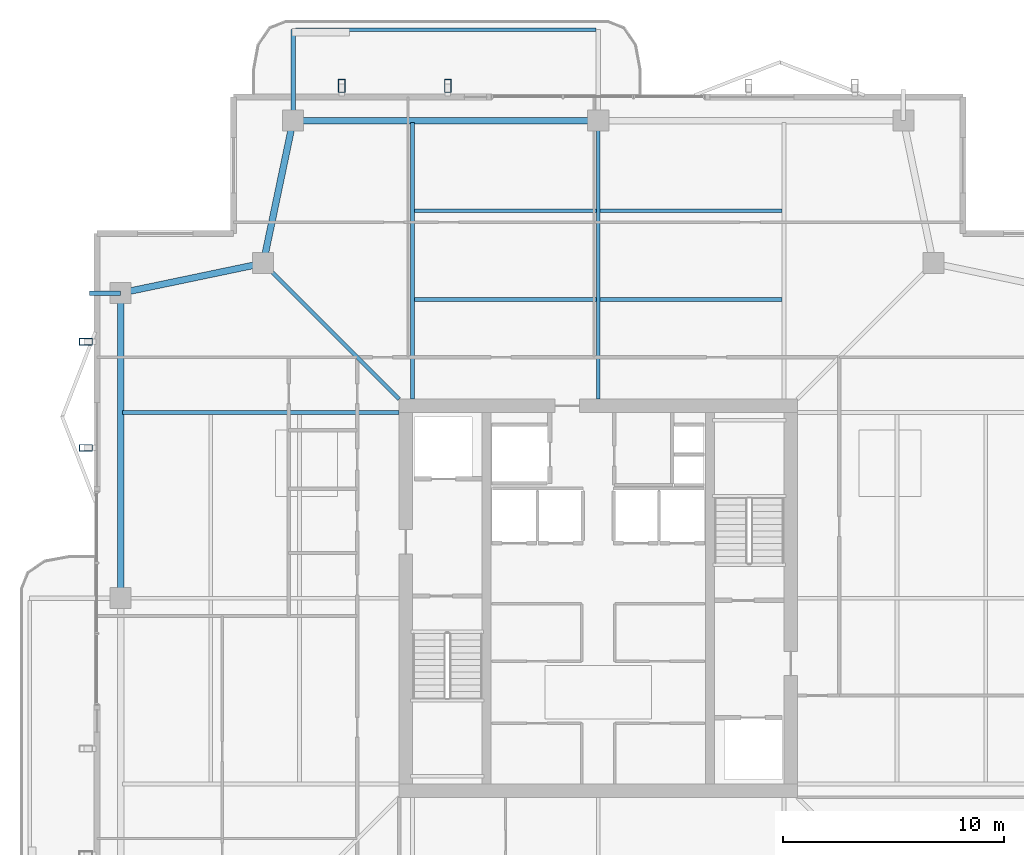
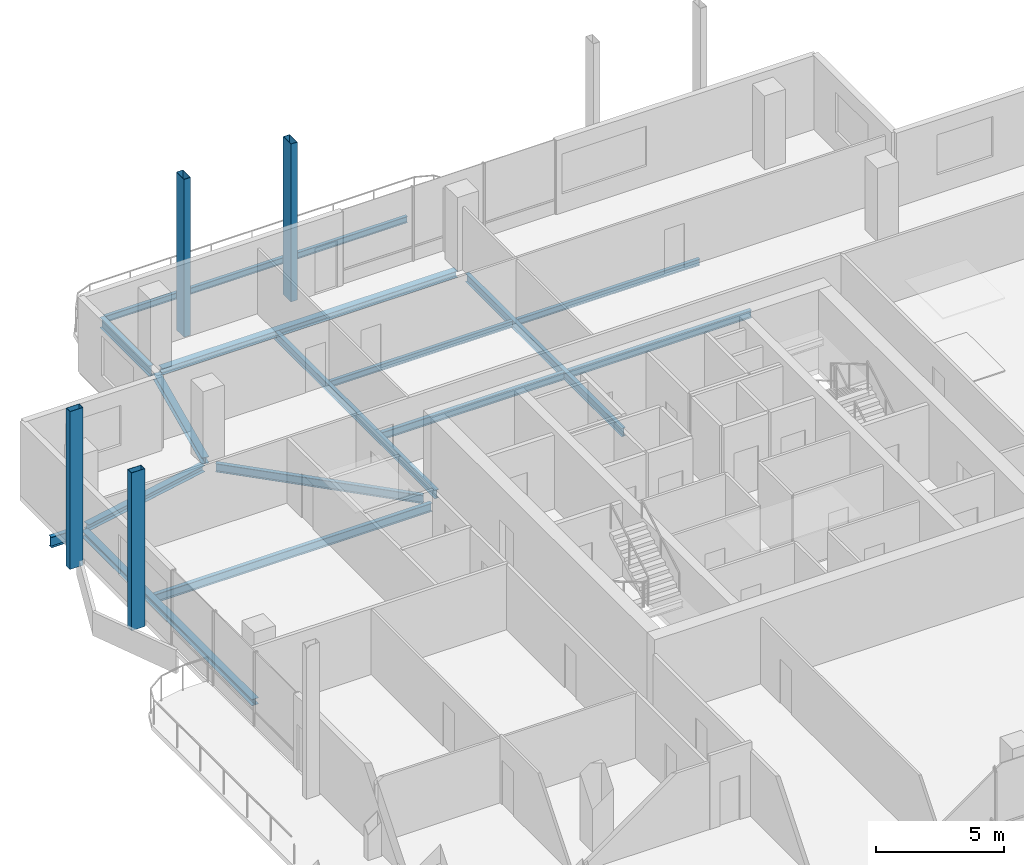
# One storey, part 10 of 20: 15 beams, 4 members.
"""IFC4 building model written with IfcOpenShell, lengths in metres."""

from ifc_helpers import new_model, si_unit, direction, frame, origin, origin_2d, place, context, subcontext, project, spatial, hollow_rectangle, i_section, extrude, material, material_profile, profile_set, type_object, element, save


model = new_model("IFC4")

# Units and contexts
model_context = context("Model", 3, precision=1e-05, world=origin(), true_north=direction((0.0, 1.0)))
body_context = subcontext(model_context, "Body", "Model", "MODEL_VIEW")
ifc_project = project(units=[si_unit("LENGTHUNIT", "METRE"), si_unit("AREAUNIT", "SQUARE_METRE"), si_unit("VOLUMEUNIT", "CUBIC_METRE"), si_unit("PLANEANGLEUNIT", "RADIAN"), si_unit("MASSUNIT", "GRAM", prefix="KILO")], contexts=[model_context])

# Site, building, storey
site_placement = place(None, origin())
site = spatial("IfcSite", under=ifc_project, at=site_placement, CompositionType="ELEMENT")
building_placement = place(site_placement, origin())
building = spatial("IfcBuilding", under=site, at=building_placement, Name="Belovzor Exchange Tower", CompositionType="ELEMENT")
storey_placement = place(building_placement, frame((0.0, 0.0, 299.25)))
storey = spatial("IfcBuildingStorey", under=building, at=storey_placement, Name="L74", CompositionType="ELEMENT", Elevation=299.25)

# Beams
ifc_material_1 = material(Name="Steel S355", Category="steel")
ifc_material_profile_1 = material_profile(ifc_material_1, i_section(OverallWidth=0.199951171875, OverallDepth=0.5, WebThickness=0.01025390625, FlangeThickness=0.01611328125, at=origin_2d()))
ifc_profile_set_1 = profile_set([ifc_material_profile_1], Name="Steel S355")
beam_type_1 = type_object("IfcBeamType", Name="Planted Balcony Cantilever Beam IPE 500", PredefinedType="BEAM", material=ifc_profile_set_1)
beam_1_placement = place(storey_placement, frame((15.0, 50.660888671875, -0.489990234375), z_axis=(0.0, 1.0, 0.0), x_axis=(-1.0, 0.0, 0.0)))
element("IfcBeam", 1, at=beam_1_placement, inside=storey, type_object=beam_type_1, Name="BC-500 Planted Balcony Cantilever Beam IPE 500", PredefinedType="BEAM", context=body_context, shape_type="SweptSolid", body=[
    extrude(i_section(OverallWidth=0.199951171875, OverallDepth=0.5, WebThickness=0.01025390625, FlangeThickness=0.01611328125, at=origin_2d()), origin(), (0.0, 0.0, 1.0), 3.85009765625),
])
beam_2_placement = place(storey_placement, frame((7.199951171875, 42.60009765625, -0.489990234375), z_axis=(-1.0, 0.0, 0.0), x_axis=(0.0, -1.0, 0.0)))
element("IfcBeam", 2, at=beam_2_placement, inside=storey, type_object=beam_type_1, Name="BC-500 Planted Balcony Cantilever Beam IPE 500", PredefinedType="BEAM", context=body_context, shape_type="SweptSolid", body=[
    extrude(i_section(OverallWidth=0.199951171875, OverallDepth=0.5, WebThickness=0.01025390625, FlangeThickness=0.01611328125, at=origin_2d()), origin(), (0.0, 0.0, 1.0), 1.39990234375),
])
ifc_material_2 = material(Name="Steel S355", Category="steel")
ifc_material_profile_2 = material_profile(ifc_material_2, i_section(OverallWidth=0.14990234375, OverallDepth=0.300048828125, WebThickness=0.007080078125, FlangeThickness=0.0107421875, at=origin_2d()))
ifc_profile_set_2 = profile_set([ifc_material_profile_2], Name="Steel S355")
beam_type_2 = type_object("IfcBeamType", Name="Planted Balcony Fascia Edge Beam IPE 300", PredefinedType="BEAM", material=ifc_profile_set_2)
beam_3_placement = place(storey_placement, frame((28.699951171875, 54.510986328125, -0.389892578125), z_axis=(-1.0, 0.0, 0.0), x_axis=(0.0, -1.0, 0.0)))
element("IfcBeam", 3, at=beam_3_placement, inside=storey, type_object=beam_type_2, Name="BC-300 Planted Balcony Fascia Edge Beam IPE 300", PredefinedType="BEAM", context=body_context, shape_type="SweptSolid", body=[
    extrude(i_section(OverallWidth=0.14990234375, OverallDepth=0.300048828125, WebThickness=0.007080078125, FlangeThickness=0.0107421875, at=origin_2d()), origin(), (0.0, 0.0, 1.0), 13.599853515625),
])
ifc_material_3 = material(Name="Steel S355", Category="steel")
ifc_material_profile_3 = material_profile(ifc_material_3, i_section(OverallWidth=0.169921875, OverallDepth=0.360107421875, WebThickness=0.008056640625, FlangeThickness=0.0126953125, at=origin_2d()))
ifc_profile_set_3 = profile_set([ifc_material_profile_3], Name="Steel S355")
beam_type_3 = type_object("IfcBeamType", Name="Secondary Infill Floor Joist IPE 360", PredefinedType="BEAM", material=ifc_profile_set_3)
beam_4_placement = place(storey_placement, frame((20.489990234375, 42.30908203125, -0.419921875), z_axis=(1.0, 0.0, 0.0), x_axis=(0.0, 1.0, 0.0)))
element("IfcBeam", 4, at=beam_4_placement, inside=storey, type_object=beam_type_3, Name="FJ-360 Secondary Infill Floor Joist IPE 360", PredefinedType="BEAM", context=body_context, shape_type="SweptSolid", body=[
    extrude(i_section(OverallWidth=0.169921875, OverallDepth=0.360107421875, WebThickness=0.008056640625, FlangeThickness=0.0126953125, at=origin_2d()), origin(), (0.0, 0.0, 1.0), 8.219970703125),
])
beam_5_placement = place(storey_placement, frame((28.889892578125, 42.30908203125, -0.419921875), z_axis=(1.0, 0.0, 0.0), x_axis=(0.0, 1.0, 0.0)))
element("IfcBeam", 5, at=beam_5_placement, inside=storey, type_object=beam_type_3, Name="FJ-360 Secondary Infill Floor Joist IPE 360", PredefinedType="BEAM", context=body_context, shape_type="SweptSolid", body=[
    extrude(i_section(OverallWidth=0.169921875, OverallDepth=0.360107421875, WebThickness=0.008056640625, FlangeThickness=0.0126953125, at=origin_2d()), origin(), (0.0, 0.0, 1.0), 8.22021484375),
])
ifc_material_4 = material(Name="Steel S355", Category="steel")
ifc_material_profile_4 = material_profile(ifc_material_4, i_section(OverallWidth=0.14990234375, OverallDepth=0.300048828125, WebThickness=0.007080078125, FlangeThickness=0.0107421875, at=origin_2d()))
ifc_profile_set_4 = profile_set([ifc_material_profile_4], Name="Steel S355")
beam_type_4 = type_object("IfcBeamType", Name="Secondary Trim Floor Joist IPE 300", PredefinedType="BEAM", material=ifc_profile_set_4)
beam_6_placement = place(storey_placement, frame((20.489990234375, 46.31689453125, -0.389892578125), z_axis=(1.0, 0.0, 0.0), x_axis=(0.0, 1.0, 0.0)))
element("IfcBeam", 6, at=beam_6_placement, inside=storey, type_object=beam_type_4, Name="FJ-300 Secondary Trim Floor Joist IPE 300", PredefinedType="BEAM", context=body_context, shape_type="SweptSolid", body=[
    extrude(i_section(OverallWidth=0.14990234375, OverallDepth=0.300048828125, WebThickness=0.007080078125, FlangeThickness=0.0107421875, at=origin_2d()), origin(), (0.0, 0.0, 1.0), 8.219970703125),
])
beam_7_placement = place(storey_placement, frame((28.889892578125, 46.31689453125, -0.389892578125), z_axis=(1.0, 0.0, 0.0), x_axis=(0.0, 1.0, 0.0)))
element("IfcBeam", 7, at=beam_7_placement, inside=storey, type_object=beam_type_4, Name="FJ-300 Secondary Trim Floor Joist IPE 300", PredefinedType="BEAM", context=body_context, shape_type="SweptSolid", body=[
    extrude(i_section(OverallWidth=0.14990234375, OverallDepth=0.300048828125, WebThickness=0.007080078125, FlangeThickness=0.0107421875, at=origin_2d()), origin(), (0.0, 0.0, 1.0), 8.22021484375),
])

# Members
ifc_material_5 = material(Name="Extruded Architectural Terracotta on Steel S355 Carrier", Category="masonry")
ifc_material_profile_5 = material_profile(ifc_material_5, hollow_rectangle(XDim=0.300048828125, YDim=0.60009765625, WallThickness=0.01611328125, at=origin_2d()))
ifc_profile_set_5 = profile_set([ifc_material_profile_5], Name="Extruded Architectural Terracotta on Steel S355 Carrier")
member_type = type_object("IfcMemberType", Name="Upper Crown Terracotta Fin Assembly 550", PredefinedType="USERDEFINED", material=ifc_profile_set_5)
for number, where, z_axis, x_axis, name in (
    (8, (17.199951171875, 51.97509765625, -0.239990234375), (0.0, 0.0, 1.0), (1.0, 0.0, 0.0), "FIN-TC055 Terracotta Facade Fin L74 N1"),
    (9, (22.0, 51.97509765625, -0.239990234375), (0.0, 0.0, 1.0), (1.0, 0.0, 0.0), "FIN-TC055 Terracotta Facade Fin L74 N2"),
    (10, (5.625, 35.60009765625, -0.239990234375), (0.0, 0.0, 1.0), (0.0, 1.0, 0.0), "FIN-TC055 Terracotta Facade Fin L74 W3"),
    (11, (5.625, 40.39990234375, -0.239990234375), (0.0, 0.0, 1.0), (0.0, 1.0, 0.0), "FIN-TC055 Terracotta Facade Fin L74 W4"),
):
    element("IfcMember", number, at=place(storey_placement, frame(where, z_axis=z_axis, x_axis=x_axis)), inside=storey, type_object=member_type, Name=name, ObjectType="FIN", PredefinedType="USERDEFINED", context=body_context, shape_type="SweptSolid", body=[
        extrude(hollow_rectangle(XDim=0.300048828125, YDim=0.60009765625, WallThickness=0.01611328125, at=origin_2d()), origin(), (0.0, 0.0, 1.0), 7.5),
    ])

# Beams
ifc_material_6 = material(Name="Steel S355", Category="steel")
ifc_material_profile_6 = material_profile(ifc_material_6, i_section(OverallWidth=0.179931640625, OverallDepth=0.39990234375, WebThickness=0.008544921875, FlangeThickness=0.013427734375, at=origin_2d()))
ifc_profile_set_6 = profile_set([ifc_material_profile_6], Name="Steel S355")
beam_type_5 = type_object("IfcBeamType", Name="Zone 5-6 Radial Composite Floor Beam IPE 400", PredefinedType="BEAM", material=ifc_profile_set_6)
beam_8_placement = place(storey_placement, frame((20.39990234375, 37.800048828125, -0.43994140625), z_axis=(0.0, 1.0, 0.0), x_axis=(-1.0, 0.0, 0.0)))
element("IfcBeam", 12, at=beam_8_placement, inside=storey, type_object=beam_type_5, Name="FB-400 Zone 5-6 Radial Composite Floor Beam IPE 400", PredefinedType="BEAM", context=body_context, shape_type="SweptSolid", body=[
    extrude(i_section(OverallWidth=0.179931640625, OverallDepth=0.39990234375, WebThickness=0.008544921875, FlangeThickness=0.013427734375, at=origin_2d()), origin(), (0.0, 0.0, 1.0), 12.52490234375),
])
beam_9_placement = place(storey_placement, frame((28.800048828125, 37.800048828125, -0.43994140625), z_axis=(0.0, 1.0, 0.0), x_axis=(-1.0, 0.0, 0.0)))
element("IfcBeam", 13, at=beam_9_placement, inside=storey, type_object=beam_type_5, Name="FB-400 Zone 5-6 Radial Composite Floor Beam IPE 400", PredefinedType="BEAM", context=body_context, shape_type="SweptSolid", body=[
    extrude(i_section(OverallWidth=0.179931640625, OverallDepth=0.39990234375, WebThickness=0.008544921875, FlangeThickness=0.013427734375, at=origin_2d()), origin(), (0.0, 0.0, 1.0), 12.181884765625),
])
beam_10_placement = place(storey_placement, frame((19.800048828125, 37.199951171875, -0.43994140625), z_axis=(-1.0, 0.0, 0.0), x_axis=(0.0, -1.0, 0.0)))
element("IfcBeam", 14, at=beam_10_placement, inside=storey, type_object=beam_type_5, Name="FB-400 Zone 5-6 Radial Composite Floor Beam IPE 400", PredefinedType="BEAM", context=body_context, shape_type="SweptSolid", body=[
    extrude(i_section(OverallWidth=0.179931640625, OverallDepth=0.39990234375, WebThickness=0.008544921875, FlangeThickness=0.013427734375, at=origin_2d()), origin(), (0.0, 0.0, 1.0), 12.525146484375),
])
beam_11_placement = place(storey_placement, frame((19.800048828125, 37.800048828125, -0.43994140625), z_axis=(-0.707062982569, 0.707150577091, 0.0), x_axis=(-0.707150577091, -0.707062982569, 0.0)))
element("IfcBeam", 15, at=beam_11_placement, inside=storey, type_object=beam_type_5, Name="FB-400 Zone 5-6 Radial Composite Floor Beam IPE 400", PredefinedType="BEAM", context=body_context, shape_type="SweptSolid", body=[
    extrude(i_section(OverallWidth=0.179931640625, OverallDepth=0.39990234375, WebThickness=0.008544921875, FlangeThickness=0.013427734375, at=origin_2d()), origin(), (0.0, 0.0, 1.0), 8.361572265625),
])
ifc_material_7 = material(Name="Steel S355", Category="steel")
ifc_material_profile_7 = material_profile(ifc_material_7, i_section(OverallWidth=0.300048828125, OverallDepth=0.300048828125, WebThickness=0.008544921875, FlangeThickness=0.013916015625, at=origin_2d()))
ifc_profile_set_7 = profile_set([ifc_material_profile_7], Name="Steel S355")
beam_type_6 = type_object("IfcBeamType", Name="Zone 6 Primary Girder HEA 300", PredefinedType="BEAM", material=ifc_profile_set_7)
beam_12_placement = place(storey_placement, frame((28.5390625, 50.39990234375, -0.389892578125), z_axis=(-1.0, 0.0, 0.0), x_axis=(0.0, -1.0, 0.0)))
element("IfcBeam", 16, at=beam_12_placement, inside=storey, type_object=beam_type_6, Name="FG-Z6 Zone 6 Primary Girder HEA 300", PredefinedType="BEAM", context=body_context, shape_type="SweptSolid", body=[
    extrude(i_section(OverallWidth=0.300048828125, OverallDepth=0.300048828125, WebThickness=0.008544921875, FlangeThickness=0.013916015625, at=origin_2d()), origin(), (0.0, 0.0, 1.0), 13.278076171875),
])
for number, where, z_axis, x_axis, name in (
    (17, (14.946044921875, 50.14404296875, -0.389892578125), (-0.204722380619, -0.978820078908, 0.0), (0.978820078908, -0.204722380619, 0.0), "FG-Z6 Zone 6 Primary Girder HEA 300"),
    (18, (13.39404296875, 43.89599609375, -0.389892578125), (-0.978820078908, -0.204722380619, 0.0), (0.204722380619, -0.978820078908, 0.0), "FG-Z6 Zone 6 Primary Girder HEA 300"),
):
    element("IfcBeam", number, at=place(storey_placement, frame(where, z_axis=z_axis, x_axis=x_axis)), inside=storey, type_object=beam_type_6, Name=name, PredefinedType="BEAM", context=body_context, shape_type="SweptSolid", body=[
        extrude(i_section(OverallWidth=0.300048828125, OverallDepth=0.300048828125, WebThickness=0.008544921875, FlangeThickness=0.013916015625, at=origin_2d()), origin(), (0.0, 0.0, 1.0), 6.06640625),
    ])
beam_13_placement = place(storey_placement, frame((7.199951171875, 42.339111328125, -0.389892578125), z_axis=(0.0, -1.0, 0.0), x_axis=(1.0, 0.0, 0.0)))
element("IfcBeam", 19, at=beam_13_placement, inside=storey, type_object=beam_type_6, Name="FG-Z6 Zone 6 Primary Girder HEA 300", PredefinedType="BEAM", context=body_context, shape_type="SweptSolid", body=[
    extrude(i_section(OverallWidth=0.300048828125, OverallDepth=0.300048828125, WebThickness=0.008544921875, FlangeThickness=0.013916015625, at=origin_2d()), origin(), (0.0, 0.0, 1.0), 13.278076171875),
])

save(model, "model.ifc")
